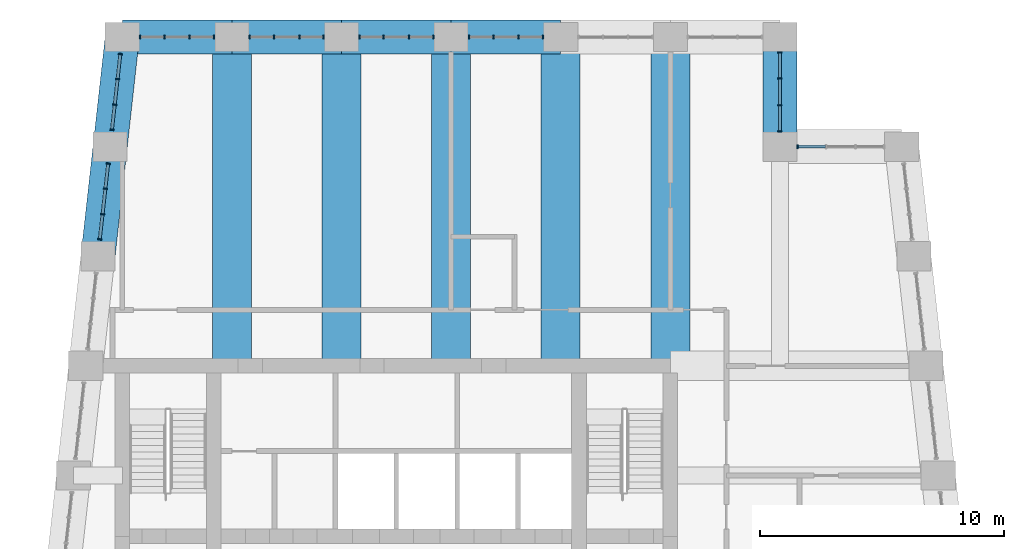
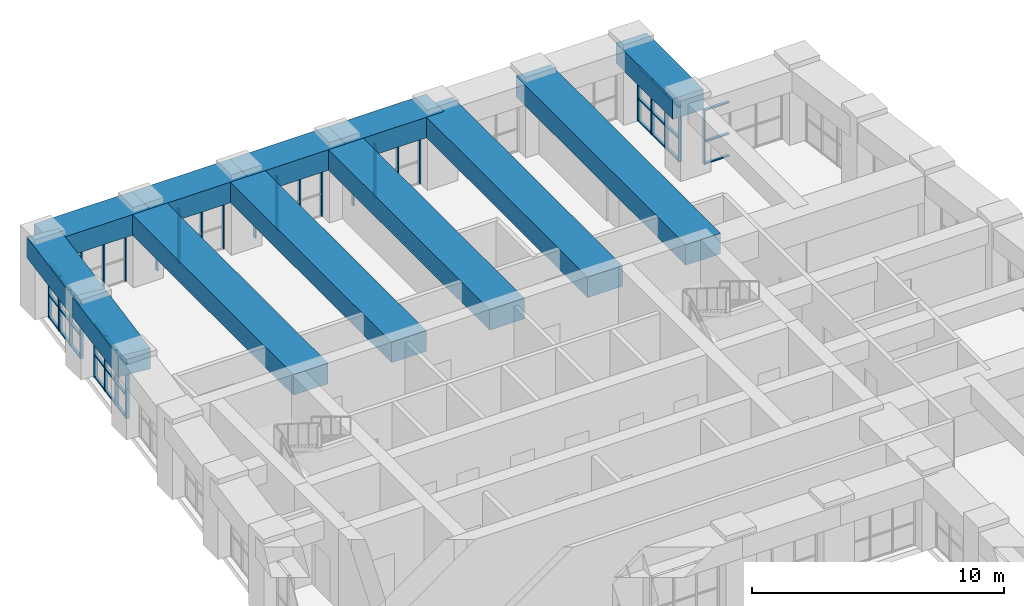
# One storey, part 8 of 18: 59 members, 12 beams, 8 elements without a shape of their own.
"""IFC4 building model written with IfcOpenShell, lengths in metres."""

from ifc_helpers import new_model, si_unit, direction, frame, origin, origin_2d, place, context, subcontext, project, spatial, rectangle, extrude, material, material_profile, profile_set, type_object, element, aggregate, save


model = new_model("IFC4")

# Units and contexts
model_context = context("Model", 3, precision=1e-05, world=origin(), true_north=direction((0.0, 1.0)))
body_context = subcontext(model_context, "Body", "Model", "MODEL_VIEW")
ifc_project = project(units=[si_unit("LENGTHUNIT", "METRE"), si_unit("AREAUNIT", "SQUARE_METRE"), si_unit("VOLUMEUNIT", "CUBIC_METRE"), si_unit("PLANEANGLEUNIT", "RADIAN"), si_unit("MASSUNIT", "GRAM", prefix="KILO")], contexts=[model_context])

# Site, building, storey
site_placement = place(None, origin())
site = spatial("IfcSite", under=ifc_project, at=site_placement, CompositionType="ELEMENT")
building_placement = place(site_placement, origin())
building = spatial("IfcBuilding", under=site, at=building_placement, Name="Kilele Tower Hotel", CompositionType="ELEMENT")
storey_placement = place(building_placement, frame((0.0, 0.0, 281.89990234375)))
storey = spatial("IfcBuildingStorey", under=building, at=storey_placement, Name="L72", CompositionType="ELEMENT", Elevation=281.89990234375)

# Beams
ifc_material_1 = material(Name="Concrete C60/75", Category="concrete")
ifc_material_profile_1 = material_profile(ifc_material_1, rectangle(XDim=1.60009765625, YDim=1.0, at=origin_2d()))
ifc_profile_set_1 = profile_set([ifc_material_profile_1], Name="Concrete C60/75")
beam_type_1 = type_object("IfcBeamType", Name="Beam RC 1600x1000 C60/75", PredefinedType="BEAM", material=ifc_profile_set_1)
for number, where, z_axis, x_axis, name in (
    (1, (36.0, 40.5, 3.150146484375), (0.0, -1.0, 0.0), (1.0, 0.0, 0.0), "Beam BC1 level L73"),
    (2, (31.5, 40.5, 3.150146484375), (0.0, -1.0, 0.0), (1.0, 0.0, 0.0), "Beam BC1 level L73"),
    (3, (27.0, 40.5, 3.150146484375), (0.0, -1.0, 0.0), (1.0, 0.0, 0.0), "Beam BC1 level L73"),
    (4, (22.5, 40.5, 3.150146484375), (0.0, -1.0, 0.0), (1.0, 0.0, 0.0), "Beam BC1 level L73"),
    (5, (18.0, 40.5, 3.150146484375), (0.0, -1.0, 0.0), (1.0, 0.0, 0.0), "Beam BC1 level L73"),
):
    element("IfcBeam", number, at=place(storey_placement, frame(where, z_axis=z_axis, x_axis=x_axis)), inside=storey, type_object=beam_type_1, Name=name, PredefinedType="BEAM", context=body_context, shape_type="SweptSolid", body=[
        extrude(rectangle(XDim=1.60009765625, YDim=1.0, at=origin_2d()), origin(), (0.0, 0.0, 1.0), 13.5),
    ])

# Curtain wall, member
ifc_material_2 = material(Name="Aluminium curtain wall, clear double glazing", Category="aluminium")
curtain_wall_type = type_object("IfcCurtainWallType", Name="Sky restaurant curtain wall CW-5", PredefinedType="NOTDEFINED", material=ifc_material_2)
curtain_wall_1_placement = place(storey_placement, origin())
curtain_wall_1 = element("IfcCurtainWall", 6, at=curtain_wall_1_placement, inside=storey, type_object=curtain_wall_type, Name="Sky restaurant curtain wall CW-5 L72", PredefinedType="NOTDEFINED")
ifc_material_3 = material(Name="Aluminium EN AW-6063 T6", Category="aluminium")
ifc_material_profile_2 = material_profile(ifc_material_3, rectangle(XDim=0.159912109375, YDim=0.06005859375, at=origin_2d()))
ifc_profile_set_2 = profile_set([ifc_material_profile_2], Name="Aluminium EN AW-6063 T6")
member_type_1 = type_object("IfcMemberType", Name="Mullion 60x160 CW-5", PredefinedType="MULLION", material=ifc_profile_set_2)
member_1_placement = place(storey_placement, frame((41.22998046875, 36.0, 0.0), z_axis=(0.0, 0.0, 1.0), x_axis=(0.0, -1.0, 0.0)))
member_1 = element("IfcMember", 7, at=member_1_placement, type_object=member_type_1, Name="CW-5 mullion 4", PredefinedType="MULLION", context=body_context, shape_type="SweptSolid", body=[
    extrude(rectangle(XDim=0.159912109375, YDim=0.06005859375, at=origin_2d()), origin(), (0.0, 0.0, 1.0), 2.650146484375),
])

# Curtain wall, members
curtain_wall_2_placement = place(storey_placement, origin())
curtain_wall_2 = element("IfcCurtainWall", 8, at=curtain_wall_2_placement, inside=storey, type_object=curtain_wall_type, Name="Sky restaurant curtain wall CW-5 L72", PredefinedType="NOTDEFINED")
member_2_placement = place(storey_placement, frame((40.5, 36.6298828125, 0.0), z_axis=(0.0, 0.0, 1.0), x_axis=(-1.0, 0.0, 0.0)))
member_2 = element("IfcMember", 9, at=member_2_placement, type_object=member_type_1, Name="CW-5 mullion 1", PredefinedType="MULLION", context=body_context, shape_type="SweptSolid", body=[
    extrude(rectangle(XDim=0.159912109375, YDim=0.06005859375, at=origin_2d()), origin(), (0.0, 0.0, 1.0), 2.650146484375),
])
member_3_placement = place(storey_placement, frame((40.5, 37.699951171875, 0.0), z_axis=(0.0, 0.0, 1.0), x_axis=(-1.0, 0.0, 0.0)))
member_3 = element("IfcMember", 10, at=member_3_placement, type_object=member_type_1, Name="CW-5 mullion 2", PredefinedType="MULLION", context=body_context, shape_type="SweptSolid", body=[
    extrude(rectangle(XDim=0.159912109375, YDim=0.06005859375, at=origin_2d()), origin(), (0.0, 0.0, 1.0), 2.650146484375),
])
member_4_placement = place(storey_placement, frame((40.5, 38.800048828125, 0.0), z_axis=(0.0, 0.0, 1.0), x_axis=(-1.0, 0.0, 0.0)))
member_4 = element("IfcMember", 11, at=member_4_placement, type_object=member_type_1, Name="CW-5 mullion 3", PredefinedType="MULLION", context=body_context, shape_type="SweptSolid", body=[
    extrude(rectangle(XDim=0.159912109375, YDim=0.06005859375, at=origin_2d()), origin(), (0.0, 0.0, 1.0), 2.650146484375),
])
member_5_placement = place(storey_placement, frame((40.5, 39.8701171875, 0.0), z_axis=(0.0, 0.0, 1.0), x_axis=(-1.0, 0.0, 0.0)))
member_5 = element("IfcMember", 12, at=member_5_placement, type_object=member_type_1, Name="CW-5 mullion 4", PredefinedType="MULLION", context=body_context, shape_type="SweptSolid", body=[
    extrude(rectangle(XDim=0.159912109375, YDim=0.06005859375, at=origin_2d()), origin(), (0.0, 0.0, 1.0), 2.650146484375),
])

curtain_wall_3_placement = place(storey_placement, origin())
curtain_wall_3 = element("IfcCurtainWall", 13, at=curtain_wall_3_placement, inside=storey, type_object=curtain_wall_type, Name="Sky restaurant curtain wall CW-5 L72", PredefinedType="NOTDEFINED")
member_6_placement = place(storey_placement, frame((30.77001953125, 40.5, 0.0), z_axis=(0.0, 0.0, 1.0), x_axis=(0.0, -1.0, 0.0)))
member_6 = element("IfcMember", 14, at=member_6_placement, type_object=member_type_1, Name="CW-5 mullion 1", PredefinedType="MULLION", context=body_context, shape_type="SweptSolid", body=[
    extrude(rectangle(XDim=0.159912109375, YDim=0.06005859375, at=origin_2d()), origin(), (0.0, 0.0, 1.0), 2.650146484375),
])
member_7_placement = place(storey_placement, frame((29.7666015625, 40.5, 0.0), z_axis=(0.0, 0.0, 1.0), x_axis=(0.0, -1.0, 0.0)))
member_7 = element("IfcMember", 15, at=member_7_placement, type_object=member_type_1, Name="CW-5 mullion 2", PredefinedType="MULLION", context=body_context, shape_type="SweptSolid", body=[
    extrude(rectangle(XDim=0.159912109375, YDim=0.06005859375, at=origin_2d()), origin(), (0.0, 0.0, 1.0), 2.650146484375),
])
member_8_placement = place(storey_placement, frame((28.7333984375, 40.5, 0.0), z_axis=(0.0, 0.0, 1.0), x_axis=(0.0, -1.0, 0.0)))
member_8 = element("IfcMember", 16, at=member_8_placement, type_object=member_type_1, Name="CW-5 mullion 3", PredefinedType="MULLION", context=body_context, shape_type="SweptSolid", body=[
    extrude(rectangle(XDim=0.159912109375, YDim=0.06005859375, at=origin_2d()), origin(), (0.0, 0.0, 1.0), 2.650146484375),
])
member_9_placement = place(storey_placement, frame((27.72998046875, 40.5, 0.0), z_axis=(0.0, 0.0, 1.0), x_axis=(0.0, -1.0, 0.0)))
member_9 = element("IfcMember", 17, at=member_9_placement, type_object=member_type_1, Name="CW-5 mullion 4", PredefinedType="MULLION", context=body_context, shape_type="SweptSolid", body=[
    extrude(rectangle(XDim=0.159912109375, YDim=0.06005859375, at=origin_2d()), origin(), (0.0, 0.0, 1.0), 2.650146484375),
])
aggregate(curtain_wall_3, [member_6, member_7, member_8, member_9])

curtain_wall_4_placement = place(storey_placement, origin())
curtain_wall_4 = element("IfcCurtainWall", 18, at=curtain_wall_4_placement, inside=storey, type_object=curtain_wall_type, Name="Sky restaurant curtain wall CW-5 L72", PredefinedType="NOTDEFINED")
member_10_placement = place(storey_placement, frame((26.27001953125, 40.5, 0.0), z_axis=(0.0, 0.0, 1.0), x_axis=(0.0, -1.0, 0.0)))
member_10 = element("IfcMember", 19, at=member_10_placement, type_object=member_type_1, Name="CW-5 mullion 1", PredefinedType="MULLION", context=body_context, shape_type="SweptSolid", body=[
    extrude(rectangle(XDim=0.159912109375, YDim=0.06005859375, at=origin_2d()), origin(), (0.0, 0.0, 1.0), 2.650146484375),
])
member_11_placement = place(storey_placement, frame((25.2666015625, 40.5, 0.0), z_axis=(0.0, 0.0, 1.0), x_axis=(0.0, -1.0, 0.0)))
member_11 = element("IfcMember", 20, at=member_11_placement, type_object=member_type_1, Name="CW-5 mullion 2", PredefinedType="MULLION", context=body_context, shape_type="SweptSolid", body=[
    extrude(rectangle(XDim=0.159912109375, YDim=0.06005859375, at=origin_2d()), origin(), (0.0, 0.0, 1.0), 2.650146484375),
])
member_12_placement = place(storey_placement, frame((24.2333984375, 40.5, 0.0), z_axis=(0.0, 0.0, 1.0), x_axis=(0.0, -1.0, 0.0)))
member_12 = element("IfcMember", 21, at=member_12_placement, type_object=member_type_1, Name="CW-5 mullion 3", PredefinedType="MULLION", context=body_context, shape_type="SweptSolid", body=[
    extrude(rectangle(XDim=0.159912109375, YDim=0.06005859375, at=origin_2d()), origin(), (0.0, 0.0, 1.0), 2.650146484375),
])
member_13_placement = place(storey_placement, frame((23.22998046875, 40.5, 0.0), z_axis=(0.0, 0.0, 1.0), x_axis=(0.0, -1.0, 0.0)))
member_13 = element("IfcMember", 22, at=member_13_placement, type_object=member_type_1, Name="CW-5 mullion 4", PredefinedType="MULLION", context=body_context, shape_type="SweptSolid", body=[
    extrude(rectangle(XDim=0.159912109375, YDim=0.06005859375, at=origin_2d()), origin(), (0.0, 0.0, 1.0), 2.650146484375),
])
aggregate(curtain_wall_4, [member_10, member_11, member_12, member_13])

curtain_wall_5_placement = place(storey_placement, origin())
curtain_wall_5 = element("IfcCurtainWall", 23, at=curtain_wall_5_placement, inside=storey, type_object=curtain_wall_type, Name="Sky restaurant curtain wall CW-5 L72", PredefinedType="NOTDEFINED")
member_14_placement = place(storey_placement, frame((21.77001953125, 40.5, 0.0), z_axis=(0.0, 0.0, 1.0), x_axis=(0.0, -1.0, 0.0)))
member_14 = element("IfcMember", 24, at=member_14_placement, type_object=member_type_1, Name="CW-5 mullion 1", PredefinedType="MULLION", context=body_context, shape_type="SweptSolid", body=[
    extrude(rectangle(XDim=0.159912109375, YDim=0.06005859375, at=origin_2d()), origin(), (0.0, 0.0, 1.0), 2.650146484375),
])
member_15_placement = place(storey_placement, frame((20.7666015625, 40.5, 0.0), z_axis=(0.0, 0.0, 1.0), x_axis=(0.0, -1.0, 0.0)))
member_15 = element("IfcMember", 25, at=member_15_placement, type_object=member_type_1, Name="CW-5 mullion 2", PredefinedType="MULLION", context=body_context, shape_type="SweptSolid", body=[
    extrude(rectangle(XDim=0.159912109375, YDim=0.06005859375, at=origin_2d()), origin(), (0.0, 0.0, 1.0), 2.650146484375),
])
member_16_placement = place(storey_placement, frame((19.7333984375, 40.5, 0.0), z_axis=(0.0, 0.0, 1.0), x_axis=(0.0, -1.0, 0.0)))
member_16 = element("IfcMember", 26, at=member_16_placement, type_object=member_type_1, Name="CW-5 mullion 3", PredefinedType="MULLION", context=body_context, shape_type="SweptSolid", body=[
    extrude(rectangle(XDim=0.159912109375, YDim=0.06005859375, at=origin_2d()), origin(), (0.0, 0.0, 1.0), 2.650146484375),
])
member_17_placement = place(storey_placement, frame((18.72998046875, 40.5, 0.0), z_axis=(0.0, 0.0, 1.0), x_axis=(0.0, -1.0, 0.0)))
member_17 = element("IfcMember", 27, at=member_17_placement, type_object=member_type_1, Name="CW-5 mullion 4", PredefinedType="MULLION", context=body_context, shape_type="SweptSolid", body=[
    extrude(rectangle(XDim=0.159912109375, YDim=0.06005859375, at=origin_2d()), origin(), (0.0, 0.0, 1.0), 2.650146484375),
])
aggregate(curtain_wall_5, [member_14, member_15, member_16, member_17])

curtain_wall_6_placement = place(storey_placement, origin())
curtain_wall_6 = element("IfcCurtainWall", 28, at=curtain_wall_6_placement, inside=storey, type_object=curtain_wall_type, Name="Sky restaurant curtain wall CW-5 L72", PredefinedType="NOTDEFINED")
member_18_placement = place(storey_placement, frame((17.27001953125, 40.5, 0.0), z_axis=(0.0, 0.0, 1.0), x_axis=(0.0, -1.0, 0.0)))
member_18 = element("IfcMember", 29, at=member_18_placement, type_object=member_type_1, Name="CW-5 mullion 1", PredefinedType="MULLION", context=body_context, shape_type="SweptSolid", body=[
    extrude(rectangle(XDim=0.159912109375, YDim=0.06005859375, at=origin_2d()), origin(), (0.0, 0.0, 1.0), 2.650146484375),
])
member_19_placement = place(storey_placement, frame((16.2666015625, 40.5, 0.0), z_axis=(0.0, 0.0, 1.0), x_axis=(0.0, -1.0, 0.0)))
member_19 = element("IfcMember", 30, at=member_19_placement, type_object=member_type_1, Name="CW-5 mullion 2", PredefinedType="MULLION", context=body_context, shape_type="SweptSolid", body=[
    extrude(rectangle(XDim=0.159912109375, YDim=0.06005859375, at=origin_2d()), origin(), (0.0, 0.0, 1.0), 2.650146484375),
])
member_20_placement = place(storey_placement, frame((15.2333984375, 40.5, 0.0), z_axis=(0.0, 0.0, 1.0), x_axis=(0.0, -1.0, 0.0)))
member_20 = element("IfcMember", 31, at=member_20_placement, type_object=member_type_1, Name="CW-5 mullion 3", PredefinedType="MULLION", context=body_context, shape_type="SweptSolid", body=[
    extrude(rectangle(XDim=0.159912109375, YDim=0.06005859375, at=origin_2d()), origin(), (0.0, 0.0, 1.0), 2.650146484375),
])
member_21_placement = place(storey_placement, frame((14.22998046875, 40.5, 0.0), z_axis=(0.0, 0.0, 1.0), x_axis=(0.0, -1.0, 0.0)))
member_21 = element("IfcMember", 32, at=member_21_placement, type_object=member_type_1, Name="CW-5 mullion 4", PredefinedType="MULLION", context=body_context, shape_type="SweptSolid", body=[
    extrude(rectangle(XDim=0.159912109375, YDim=0.06005859375, at=origin_2d()), origin(), (0.0, 0.0, 1.0), 2.650146484375),
])
aggregate(curtain_wall_6, [member_18, member_19, member_20, member_21])

curtain_wall_7_placement = place(storey_placement, origin())
curtain_wall_7 = element("IfcCurtainWall", 33, at=curtain_wall_7_placement, inside=storey, type_object=curtain_wall_type, Name="Sky restaurant curtain wall CW-5 L72", PredefinedType="NOTDEFINED")
member_22_placement = place(storey_placement, frame((13.42236328125, 39.80078125, 0.0), z_axis=(0.0, 0.0, 1.0), x_axis=(0.993883734681, -0.110431526007, 0.0)))
member_22 = element("IfcMember", 34, at=member_22_placement, type_object=member_type_1, Name="CW-5 mullion 1", PredefinedType="MULLION", context=body_context, shape_type="SweptSolid", body=[
    extrude(rectangle(XDim=0.159912109375, YDim=0.06005859375, at=origin_2d()), origin(), (0.0, 0.0, 1.0), 2.650146484375),
])
member_23_placement = place(storey_placement, frame((13.30859375, 38.77685546875, 0.0), z_axis=(0.0, 0.0, 1.0), x_axis=(0.993883734681, -0.110431526007, 0.0)))
member_23 = element("IfcMember", 35, at=member_23_placement, type_object=member_type_1, Name="CW-5 mullion 2", PredefinedType="MULLION", context=body_context, shape_type="SweptSolid", body=[
    extrude(rectangle(XDim=0.159912109375, YDim=0.06005859375, at=origin_2d()), origin(), (0.0, 0.0, 1.0), 2.650146484375),
])
member_24_placement = place(storey_placement, frame((13.19140625, 37.72314453125, 0.0), z_axis=(0.0, 0.0, 1.0), x_axis=(0.993883734681, -0.110431526007, 0.0)))
member_24 = element("IfcMember", 36, at=member_24_placement, type_object=member_type_1, Name="CW-5 mullion 3", PredefinedType="MULLION", context=body_context, shape_type="SweptSolid", body=[
    extrude(rectangle(XDim=0.159912109375, YDim=0.06005859375, at=origin_2d()), origin(), (0.0, 0.0, 1.0), 2.650146484375),
])
member_25_placement = place(storey_placement, frame((13.07763671875, 36.69921875, 0.0), z_axis=(0.0, 0.0, 1.0), x_axis=(0.993883734681, -0.110431526007, 0.0)))
member_25 = element("IfcMember", 37, at=member_25_placement, type_object=member_type_1, Name="CW-5 mullion 4", PredefinedType="MULLION", context=body_context, shape_type="SweptSolid", body=[
    extrude(rectangle(XDim=0.159912109375, YDim=0.06005859375, at=origin_2d()), origin(), (0.0, 0.0, 1.0), 2.650146484375),
])

curtain_wall_8_placement = place(storey_placement, origin())
curtain_wall_8 = element("IfcCurtainWall", 38, at=curtain_wall_8_placement, inside=storey, type_object=curtain_wall_type, Name="Sky restaurant curtain wall CW-5 L72", PredefinedType="NOTDEFINED")
member_26_placement = place(storey_placement, frame((12.92236328125, 35.30078125, 0.0), z_axis=(0.0, 0.0, 1.0), x_axis=(0.993883734681, -0.110431526007, 0.0)))
member_26 = element("IfcMember", 39, at=member_26_placement, type_object=member_type_1, Name="CW-5 mullion 1", PredefinedType="MULLION", context=body_context, shape_type="SweptSolid", body=[
    extrude(rectangle(XDim=0.159912109375, YDim=0.06005859375, at=origin_2d()), origin(), (0.0, 0.0, 1.0), 2.650146484375),
])
member_27_placement = place(storey_placement, frame((12.80859375, 34.27685546875, 0.0), z_axis=(0.0, 0.0, 1.0), x_axis=(0.993883734681, -0.110431526007, 0.0)))
member_27 = element("IfcMember", 40, at=member_27_placement, type_object=member_type_1, Name="CW-5 mullion 2", PredefinedType="MULLION", context=body_context, shape_type="SweptSolid", body=[
    extrude(rectangle(XDim=0.159912109375, YDim=0.06005859375, at=origin_2d()), origin(), (0.0, 0.0, 1.0), 2.650146484375),
])
member_28_placement = place(storey_placement, frame((12.69140625, 33.22314453125, 0.0), z_axis=(0.0, 0.0, 1.0), x_axis=(0.993883734681, -0.110431526007, 0.0)))
member_28 = element("IfcMember", 41, at=member_28_placement, type_object=member_type_1, Name="CW-5 mullion 3", PredefinedType="MULLION", context=body_context, shape_type="SweptSolid", body=[
    extrude(rectangle(XDim=0.159912109375, YDim=0.06005859375, at=origin_2d()), origin(), (0.0, 0.0, 1.0), 2.650146484375),
])
member_29_placement = place(storey_placement, frame((12.57763671875, 32.19921875, 0.0), z_axis=(0.0, 0.0, 1.0), x_axis=(0.993883734681, -0.110431526007, 0.0)))
member_29 = element("IfcMember", 42, at=member_29_placement, type_object=member_type_1, Name="CW-5 mullion 4", PredefinedType="MULLION", context=body_context, shape_type="SweptSolid", body=[
    extrude(rectangle(XDim=0.159912109375, YDim=0.06005859375, at=origin_2d()), origin(), (0.0, 0.0, 1.0), 2.650146484375),
])

# Beams
ifc_material_4 = material(Name="Concrete C60/75", Category="concrete")
ifc_material_profile_3 = material_profile(ifc_material_4, rectangle(XDim=1.39990234375, YDim=1.0, at=origin_2d()))
ifc_profile_set_3 = profile_set([ifc_material_profile_3], Name="Concrete C60/75")
beam_type_2 = type_object("IfcBeamType", Name="Spandrel RC 1400x1000 C60/75", PredefinedType="SPANDREL", material=ifc_profile_set_3)
for number, where, z_axis, x_axis, name in (
    (43, (40.5, 36.0, 3.150146484375), (0.0, 1.0, 0.0), (-1.0, 0.0, 0.0), "Spandrel SP1 level L73"),
    (44, (31.5, 40.5, 3.150146484375), (-1.0, 0.0, 0.0), (0.0, -1.0, 0.0), "Spandrel SP1 level L73"),
    (45, (27.0, 40.5, 3.150146484375), (-1.0, 0.0, 0.0), (0.0, -1.0, 0.0), "Spandrel SP1 level L73"),
    (46, (22.5, 40.5, 3.150146484375), (-1.0, 0.0, 0.0), (0.0, -1.0, 0.0), "Spandrel SP1 level L73"),
    (47, (18.0, 40.5, 3.150146484375), (-1.0, 0.0, 0.0), (0.0, -1.0, 0.0), "Spandrel SP1 level L73"),
):
    element("IfcBeam", number, at=place(storey_placement, frame(where, z_axis=z_axis, x_axis=x_axis)), inside=storey, type_object=beam_type_2, Name=name, PredefinedType="SPANDREL", context=body_context, shape_type="SweptSolid", body=[
        extrude(rectangle(XDim=1.39990234375, YDim=1.0, at=origin_2d()), origin(), (0.0, 0.0, 1.0), 4.5),
    ])
for number, where, z_axis, x_axis, name in (
    (48, (13.5, 40.5, 3.150146484375), (-0.110431526075, -0.993883734674, 0.0), (0.993883734674, -0.110431526075, 0.0), "Spandrel SP1 level L73"),
    (49, (13.0, 36.0, 3.150146484375), (-0.110431526075, -0.993883734674, 0.0), (0.993883734674, -0.110431526075, 0.0), "Spandrel SP1 level L73"),
):
    element("IfcBeam", number, at=place(storey_placement, frame(where, z_axis=z_axis, x_axis=x_axis)), inside=storey, type_object=beam_type_2, Name=name, PredefinedType="SPANDREL", context=body_context, shape_type="SweptSolid", body=[
        extrude(rectangle(XDim=1.39990234375, YDim=1.0, at=origin_2d()), origin(), (0.0, 0.0, 1.0), 4.527587890625),
    ])

# Member
ifc_material_5 = material(Name="Aluminium EN AW-6063 T6", Category="aluminium")
ifc_material_profile_4 = material_profile(ifc_material_5, rectangle(XDim=0.1201171875, YDim=0.06005859375, at=origin_2d()))
ifc_profile_set_4 = profile_set([ifc_material_profile_4], Name="Aluminium EN AW-6063 T6")
member_type_2 = type_object("IfcMemberType", Name="Transom 60x120 CW-5", PredefinedType="USERDEFINED", material=ifc_profile_set_4)
member_30_placement = place(storey_placement, frame((42.3701171875, 36.0, 0.030029296875), z_axis=(-1.0, 0.0, 0.0), x_axis=(0.0, -1.0, 0.0)))
member_30 = element("IfcMember", 50, at=member_30_placement, type_object=member_type_2, Name="CW-5 transom 3.1", ObjectType="TRANSOM", PredefinedType="USERDEFINED", context=body_context, shape_type="SweptSolid", body=[
    extrude(rectangle(XDim=0.1201171875, YDim=0.06005859375, at=origin_2d()), origin(), (0.0, 0.0, 1.0), 1.110107421875),
])

member_31_placement = place(storey_placement, frame((42.3701171875, 36.0, 1.10009765625), z_axis=(-1.0, 0.0, 0.0), x_axis=(0.0, -1.0, 0.0)))
member_31 = element("IfcMember", 51, at=member_31_placement, type_object=member_type_2, Name="CW-5 transom 3.2", ObjectType="TRANSOM", PredefinedType="USERDEFINED", context=body_context, shape_type="SweptSolid", body=[
    extrude(rectangle(XDim=0.1201171875, YDim=0.06005859375, at=origin_2d()), origin(), (0.0, 0.0, 1.0), 1.110107421875),
])

member_32_placement = place(storey_placement, frame((42.3701171875, 36.0, 2.6201171875), z_axis=(-1.0, 0.0, 0.0), x_axis=(0.0, -1.0, 0.0)))
member_32 = element("IfcMember", 52, at=member_32_placement, type_object=member_type_2, Name="CW-5 transom 3.3", ObjectType="TRANSOM", PredefinedType="USERDEFINED", context=body_context, shape_type="SweptSolid", body=[
    extrude(rectangle(XDim=0.1201171875, YDim=0.06005859375, at=origin_2d()), origin(), (0.0, 0.0, 1.0), 1.110107421875),
])

aggregate(curtain_wall_1, [member_1, member_30, member_31, member_32])

member_33_placement = place(storey_placement, frame((40.5, 36.659912109375, 0.030029296875), z_axis=(0.0, 1.0, 0.0), x_axis=(-1.0, 0.0, 0.0)))
member_33 = element("IfcMember", 53, at=member_33_placement, type_object=member_type_2, Name="CW-5 transom 1.1", ObjectType="TRANSOM", PredefinedType="USERDEFINED", context=body_context, shape_type="SweptSolid", body=[
    extrude(rectangle(XDim=0.1201171875, YDim=0.06005859375, at=origin_2d()), origin(), (0.0, 0.0, 1.0), 1.010009765625),
])

member_34_placement = place(storey_placement, frame((40.5, 36.659912109375, 1.10009765625), z_axis=(0.0, 1.0, 0.0), x_axis=(-1.0, 0.0, 0.0)))
member_34 = element("IfcMember", 54, at=member_34_placement, type_object=member_type_2, Name="CW-5 transom 1.2", ObjectType="TRANSOM", PredefinedType="USERDEFINED", context=body_context, shape_type="SweptSolid", body=[
    extrude(rectangle(XDim=0.1201171875, YDim=0.06005859375, at=origin_2d()), origin(), (0.0, 0.0, 1.0), 1.010009765625),
])

member_35_placement = place(storey_placement, frame((40.5, 36.659912109375, 2.6201171875), z_axis=(0.0, 1.0, 0.0), x_axis=(-1.0, 0.0, 0.0)))
member_35 = element("IfcMember", 55, at=member_35_placement, type_object=member_type_2, Name="CW-5 transom 1.3", ObjectType="TRANSOM", PredefinedType="USERDEFINED", context=body_context, shape_type="SweptSolid", body=[
    extrude(rectangle(XDim=0.1201171875, YDim=0.06005859375, at=origin_2d()), origin(), (0.0, 0.0, 1.0), 1.010009765625),
])

member_36_placement = place(storey_placement, frame((40.5, 37.72998046875, 0.030029296875), z_axis=(0.0, 1.0, 0.0), x_axis=(-1.0, 0.0, 0.0)))
member_36 = element("IfcMember", 56, at=member_36_placement, type_object=member_type_2, Name="CW-5 transom 2.1", ObjectType="TRANSOM", PredefinedType="USERDEFINED", context=body_context, shape_type="SweptSolid", body=[
    extrude(rectangle(XDim=0.1201171875, YDim=0.06005859375, at=origin_2d()), origin(), (0.0, 0.0, 1.0), 1.0400390625),
])

member_37_placement = place(storey_placement, frame((40.5, 37.72998046875, 1.10009765625), z_axis=(0.0, 1.0, 0.0), x_axis=(-1.0, 0.0, 0.0)))
member_37 = element("IfcMember", 57, at=member_37_placement, type_object=member_type_2, Name="CW-5 transom 2.2", ObjectType="TRANSOM", PredefinedType="USERDEFINED", context=body_context, shape_type="SweptSolid", body=[
    extrude(rectangle(XDim=0.1201171875, YDim=0.06005859375, at=origin_2d()), origin(), (0.0, 0.0, 1.0), 1.0400390625),
])

member_38_placement = place(storey_placement, frame((40.5, 37.72998046875, 2.6201171875), z_axis=(0.0, 1.0, 0.0), x_axis=(-1.0, 0.0, 0.0)))
member_38 = element("IfcMember", 58, at=member_38_placement, type_object=member_type_2, Name="CW-5 transom 2.3", ObjectType="TRANSOM", PredefinedType="USERDEFINED", context=body_context, shape_type="SweptSolid", body=[
    extrude(rectangle(XDim=0.1201171875, YDim=0.06005859375, at=origin_2d()), origin(), (0.0, 0.0, 1.0), 1.0400390625),
])

member_39_placement = place(storey_placement, frame((40.5, 38.830078125, 0.030029296875), z_axis=(0.0, 1.0, 0.0), x_axis=(-1.0, 0.0, 0.0)))
member_39 = element("IfcMember", 59, at=member_39_placement, type_object=member_type_2, Name="CW-5 transom 3.1", ObjectType="TRANSOM", PredefinedType="USERDEFINED", context=body_context, shape_type="SweptSolid", body=[
    extrude(rectangle(XDim=0.1201171875, YDim=0.06005859375, at=origin_2d()), origin(), (0.0, 0.0, 1.0), 1.010009765625),
])

member_40_placement = place(storey_placement, frame((40.5, 38.830078125, 1.10009765625), z_axis=(0.0, 1.0, 0.0), x_axis=(-1.0, 0.0, 0.0)))
member_40 = element("IfcMember", 60, at=member_40_placement, type_object=member_type_2, Name="CW-5 transom 3.2", ObjectType="TRANSOM", PredefinedType="USERDEFINED", context=body_context, shape_type="SweptSolid", body=[
    extrude(rectangle(XDim=0.1201171875, YDim=0.06005859375, at=origin_2d()), origin(), (0.0, 0.0, 1.0), 1.010009765625),
])

member_41_placement = place(storey_placement, frame((40.5, 38.830078125, 2.6201171875), z_axis=(0.0, 1.0, 0.0), x_axis=(-1.0, 0.0, 0.0)))
member_41 = element("IfcMember", 61, at=member_41_placement, type_object=member_type_2, Name="CW-5 transom 3.3", ObjectType="TRANSOM", PredefinedType="USERDEFINED", context=body_context, shape_type="SweptSolid", body=[
    extrude(rectangle(XDim=0.1201171875, YDim=0.06005859375, at=origin_2d()), origin(), (0.0, 0.0, 1.0), 1.010009765625),
])

aggregate(curtain_wall_2, [member_2, member_3, member_4, member_5, member_33, member_34, member_35, member_36, member_37, member_38, member_39, member_40, member_41])

member_42_placement = place(storey_placement, frame((13.4189453125, 39.770751953125, 0.030029296875), z_axis=(-0.11048677236, -0.993877594643, 0.0), x_axis=(0.993877594643, -0.11048677236, 0.0)))
member_42 = element("IfcMember", 62, at=member_42_placement, type_object=member_type_2, Name="CW-5 transom 1.1", ObjectType="TRANSOM", PredefinedType="USERDEFINED", context=body_context, shape_type="SweptSolid", body=[
    extrude(rectangle(XDim=0.1201171875, YDim=0.06005859375, at=origin_2d()), origin(), (0.0, 0.0, 1.0), 0.969970703125),
])

member_43_placement = place(storey_placement, frame((13.4189453125, 39.770751953125, 1.10009765625), z_axis=(-0.11048677236, -0.993877594643, 0.0), x_axis=(0.993877594643, -0.11048677236, 0.0)))
member_43 = element("IfcMember", 63, at=member_43_placement, type_object=member_type_2, Name="CW-5 transom 1.2", ObjectType="TRANSOM", PredefinedType="USERDEFINED", context=body_context, shape_type="SweptSolid", body=[
    extrude(rectangle(XDim=0.1201171875, YDim=0.06005859375, at=origin_2d()), origin(), (0.0, 0.0, 1.0), 0.969970703125),
])

member_44_placement = place(storey_placement, frame((13.4189453125, 39.770751953125, 2.6201171875), z_axis=(-0.11048677236, -0.993877594643, 0.0), x_axis=(0.993877594643, -0.11048677236, 0.0)))
member_44 = element("IfcMember", 64, at=member_44_placement, type_object=member_type_2, Name="CW-5 transom 1.3", ObjectType="TRANSOM", PredefinedType="USERDEFINED", context=body_context, shape_type="SweptSolid", body=[
    extrude(rectangle(XDim=0.1201171875, YDim=0.06005859375, at=origin_2d()), origin(), (0.0, 0.0, 1.0), 0.969970703125),
])

member_45_placement = place(storey_placement, frame((13.30517578125, 38.7470703125, 0.030029296875), z_axis=(-0.110324368158, -0.993895635261, 0.0), x_axis=(0.993895635261, -0.110324368158, 0.0)))
member_45 = element("IfcMember", 65, at=member_45_placement, type_object=member_type_2, Name="CW-5 transom 2.1", ObjectType="TRANSOM", PredefinedType="USERDEFINED", context=body_context, shape_type="SweptSolid", body=[
    extrude(rectangle(XDim=0.1201171875, YDim=0.06005859375, at=origin_2d()), origin(), (0.0, 0.0, 1.0), 1.000244140625),
])

member_46_placement = place(storey_placement, frame((13.30517578125, 38.7470703125, 1.10009765625), z_axis=(-0.110324368158, -0.993895635261, 0.0), x_axis=(0.993895635261, -0.110324368158, 0.0)))
member_46 = element("IfcMember", 66, at=member_46_placement, type_object=member_type_2, Name="CW-5 transom 2.2", ObjectType="TRANSOM", PredefinedType="USERDEFINED", context=body_context, shape_type="SweptSolid", body=[
    extrude(rectangle(XDim=0.1201171875, YDim=0.06005859375, at=origin_2d()), origin(), (0.0, 0.0, 1.0), 1.000244140625),
])

member_47_placement = place(storey_placement, frame((13.30517578125, 38.7470703125, 2.6201171875), z_axis=(-0.110324368158, -0.993895635261, 0.0), x_axis=(0.993895635261, -0.110324368158, 0.0)))
member_47 = element("IfcMember", 67, at=member_47_placement, type_object=member_type_2, Name="CW-5 transom 2.3", ObjectType="TRANSOM", PredefinedType="USERDEFINED", context=body_context, shape_type="SweptSolid", body=[
    extrude(rectangle(XDim=0.1201171875, YDim=0.06005859375, at=origin_2d()), origin(), (0.0, 0.0, 1.0), 1.000244140625),
])

member_48_placement = place(storey_placement, frame((13.188232421875, 37.693359375, 0.030029296875), z_axis=(-0.11048677236, -0.993877594643, 0.0), x_axis=(0.993877594643, -0.11048677236, 0.0)))
member_48 = element("IfcMember", 68, at=member_48_placement, type_object=member_type_2, Name="CW-5 transom 3.1", ObjectType="TRANSOM", PredefinedType="USERDEFINED", context=body_context, shape_type="SweptSolid", body=[
    extrude(rectangle(XDim=0.1201171875, YDim=0.06005859375, at=origin_2d()), origin(), (0.0, 0.0, 1.0), 0.969970703125),
])

member_49_placement = place(storey_placement, frame((13.188232421875, 37.693359375, 1.10009765625), z_axis=(-0.11048677236, -0.993877594643, 0.0), x_axis=(0.993877594643, -0.11048677236, 0.0)))
member_49 = element("IfcMember", 69, at=member_49_placement, type_object=member_type_2, Name="CW-5 transom 3.2", ObjectType="TRANSOM", PredefinedType="USERDEFINED", context=body_context, shape_type="SweptSolid", body=[
    extrude(rectangle(XDim=0.1201171875, YDim=0.06005859375, at=origin_2d()), origin(), (0.0, 0.0, 1.0), 0.969970703125),
])

member_50_placement = place(storey_placement, frame((13.188232421875, 37.693359375, 2.6201171875), z_axis=(-0.11048677236, -0.993877594643, 0.0), x_axis=(0.993877594643, -0.11048677236, 0.0)))
member_50 = element("IfcMember", 70, at=member_50_placement, type_object=member_type_2, Name="CW-5 transom 3.3", ObjectType="TRANSOM", PredefinedType="USERDEFINED", context=body_context, shape_type="SweptSolid", body=[
    extrude(rectangle(XDim=0.1201171875, YDim=0.06005859375, at=origin_2d()), origin(), (0.0, 0.0, 1.0), 0.969970703125),
])

aggregate(curtain_wall_7, [member_22, member_23, member_24, member_25, member_42, member_43, member_44, member_45, member_46, member_47, member_48, member_49, member_50])

member_51_placement = place(storey_placement, frame((12.9189453125, 35.270751953125, 0.030029296875), z_axis=(-0.11048677236, -0.993877594643, 0.0), x_axis=(0.993877594643, -0.11048677236, 0.0)))
member_51 = element("IfcMember", 71, at=member_51_placement, type_object=member_type_2, Name="CW-5 transom 1.1", ObjectType="TRANSOM", PredefinedType="USERDEFINED", context=body_context, shape_type="SweptSolid", body=[
    extrude(rectangle(XDim=0.1201171875, YDim=0.06005859375, at=origin_2d()), origin(), (0.0, 0.0, 1.0), 0.969970703125),
])

member_52_placement = place(storey_placement, frame((12.9189453125, 35.270751953125, 1.10009765625), z_axis=(-0.11048677236, -0.993877594643, 0.0), x_axis=(0.993877594643, -0.11048677236, 0.0)))
member_52 = element("IfcMember", 72, at=member_52_placement, type_object=member_type_2, Name="CW-5 transom 1.2", ObjectType="TRANSOM", PredefinedType="USERDEFINED", context=body_context, shape_type="SweptSolid", body=[
    extrude(rectangle(XDim=0.1201171875, YDim=0.06005859375, at=origin_2d()), origin(), (0.0, 0.0, 1.0), 0.969970703125),
])

member_53_placement = place(storey_placement, frame((12.9189453125, 35.270751953125, 2.6201171875), z_axis=(-0.11048677236, -0.993877594643, 0.0), x_axis=(0.993877594643, -0.11048677236, 0.0)))
member_53 = element("IfcMember", 73, at=member_53_placement, type_object=member_type_2, Name="CW-5 transom 1.3", ObjectType="TRANSOM", PredefinedType="USERDEFINED", context=body_context, shape_type="SweptSolid", body=[
    extrude(rectangle(XDim=0.1201171875, YDim=0.06005859375, at=origin_2d()), origin(), (0.0, 0.0, 1.0), 0.969970703125),
])

member_54_placement = place(storey_placement, frame((12.80517578125, 34.2470703125, 0.030029296875), z_axis=(-0.110324368158, -0.993895635261, 0.0), x_axis=(0.993895635261, -0.110324368158, 0.0)))
member_54 = element("IfcMember", 74, at=member_54_placement, type_object=member_type_2, Name="CW-5 transom 2.1", ObjectType="TRANSOM", PredefinedType="USERDEFINED", context=body_context, shape_type="SweptSolid", body=[
    extrude(rectangle(XDim=0.1201171875, YDim=0.06005859375, at=origin_2d()), origin(), (0.0, 0.0, 1.0), 1.000244140625),
])

member_55_placement = place(storey_placement, frame((12.80517578125, 34.2470703125, 1.10009765625), z_axis=(-0.110324368158, -0.993895635261, 0.0), x_axis=(0.993895635261, -0.110324368158, 0.0)))
member_55 = element("IfcMember", 75, at=member_55_placement, type_object=member_type_2, Name="CW-5 transom 2.2", ObjectType="TRANSOM", PredefinedType="USERDEFINED", context=body_context, shape_type="SweptSolid", body=[
    extrude(rectangle(XDim=0.1201171875, YDim=0.06005859375, at=origin_2d()), origin(), (0.0, 0.0, 1.0), 1.000244140625),
])

member_56_placement = place(storey_placement, frame((12.80517578125, 34.2470703125, 2.6201171875), z_axis=(-0.110324368158, -0.993895635261, 0.0), x_axis=(0.993895635261, -0.110324368158, 0.0)))
member_56 = element("IfcMember", 76, at=member_56_placement, type_object=member_type_2, Name="CW-5 transom 2.3", ObjectType="TRANSOM", PredefinedType="USERDEFINED", context=body_context, shape_type="SweptSolid", body=[
    extrude(rectangle(XDim=0.1201171875, YDim=0.06005859375, at=origin_2d()), origin(), (0.0, 0.0, 1.0), 1.000244140625),
])

member_57_placement = place(storey_placement, frame((12.688232421875, 33.193359375, 0.030029296875), z_axis=(-0.11048677236, -0.993877594643, 0.0), x_axis=(0.993877594643, -0.11048677236, 0.0)))
member_57 = element("IfcMember", 77, at=member_57_placement, type_object=member_type_2, Name="CW-5 transom 3.1", ObjectType="TRANSOM", PredefinedType="USERDEFINED", context=body_context, shape_type="SweptSolid", body=[
    extrude(rectangle(XDim=0.1201171875, YDim=0.06005859375, at=origin_2d()), origin(), (0.0, 0.0, 1.0), 0.969970703125),
])

member_58_placement = place(storey_placement, frame((12.688232421875, 33.193359375, 1.10009765625), z_axis=(-0.11048677236, -0.993877594643, 0.0), x_axis=(0.993877594643, -0.11048677236, 0.0)))
member_58 = element("IfcMember", 78, at=member_58_placement, type_object=member_type_2, Name="CW-5 transom 3.2", ObjectType="TRANSOM", PredefinedType="USERDEFINED", context=body_context, shape_type="SweptSolid", body=[
    extrude(rectangle(XDim=0.1201171875, YDim=0.06005859375, at=origin_2d()), origin(), (0.0, 0.0, 1.0), 0.969970703125),
])

member_59_placement = place(storey_placement, frame((12.688232421875, 33.193359375, 2.6201171875), z_axis=(-0.11048677236, -0.993877594643, 0.0), x_axis=(0.993877594643, -0.11048677236, 0.0)))
member_59 = element("IfcMember", 79, at=member_59_placement, type_object=member_type_2, Name="CW-5 transom 3.3", ObjectType="TRANSOM", PredefinedType="USERDEFINED", context=body_context, shape_type="SweptSolid", body=[
    extrude(rectangle(XDim=0.1201171875, YDim=0.06005859375, at=origin_2d()), origin(), (0.0, 0.0, 1.0), 0.969970703125),
])

aggregate(curtain_wall_8, [member_26, member_27, member_28, member_29, member_51, member_52, member_53, member_54, member_55, member_56, member_57, member_58, member_59])

save(model, "model.ifc")
